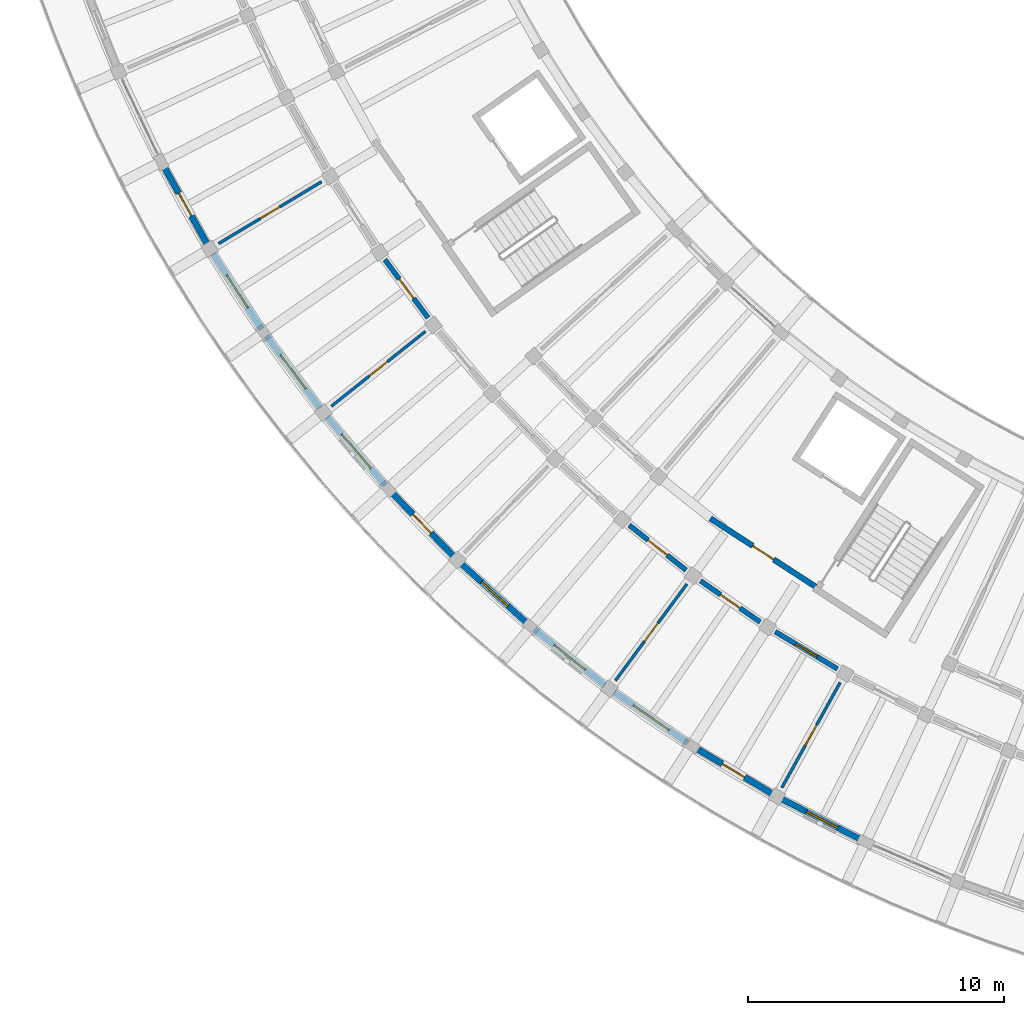
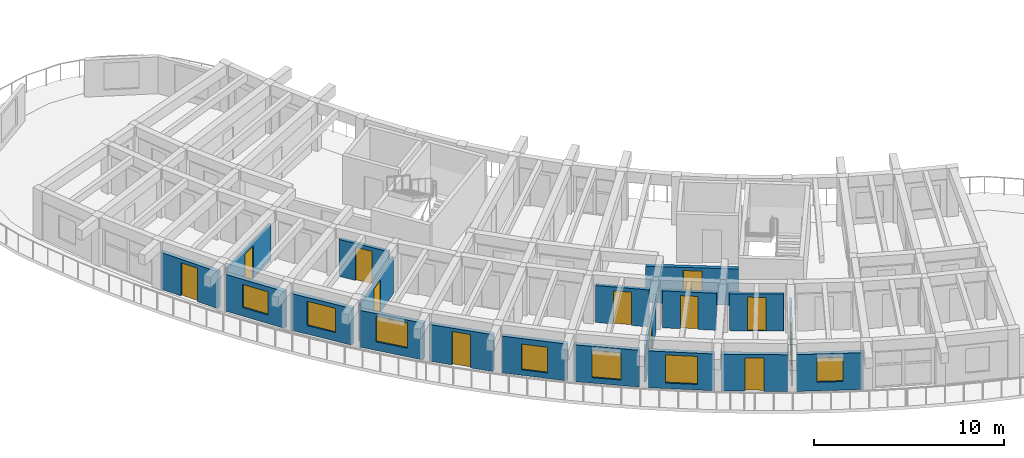
# One storey, part 41 of 83: 19 walls, 12 doors, 7 windows, 19 openings.
"""IFC4 building model written with IfcOpenShell, lengths in metres."""

from ifc_helpers import new_model, si_unit, direction, frame, frame_2d, origin, place, context, subcontext, project, spatial, rectangle, extrude, material, layer, layer_set, type_object, element, fill, save


model = new_model("IFC4")

# Units and contexts
model_context = context("Model", 3, precision=1e-05, world=origin(), true_north=direction((0.0, 1.0)))
body_context = subcontext(model_context, "Body", "Model", "MODEL_VIEW")
ifc_project = project(units=[si_unit("LENGTHUNIT", "METRE"), si_unit("AREAUNIT", "SQUARE_METRE"), si_unit("VOLUMEUNIT", "CUBIC_METRE"), si_unit("PLANEANGLEUNIT", "RADIAN"), si_unit("MASSUNIT", "GRAM", prefix="KILO")], contexts=[model_context])

# Site, building, storey
site_placement = place(None, origin())
site = spatial("IfcSite", under=ifc_project, at=site_placement, CompositionType="ELEMENT")
building_placement = place(site_placement, origin())
building = spatial("IfcBuilding", under=site, at=building_placement, Name="Tanwirah Colonnade Gardens", CompositionType="ELEMENT")
storey_placement = place(building_placement, frame((0.0, 0.0, 25.639892578125)))
storey = spatial("IfcBuildingStorey", under=building, at=storey_placement, Name="L07", CompositionType="ELEMENT", Elevation=25.639892578125)

# Wall, opening, door
ifc_material_1 = material(Name="Limestone architectural precast concrete C40/50", Category="masonry")
ifc_layer_1 = layer(ifc_material_1, 0.2451171875)
ifc_layer_set_1 = layer_set([ifc_layer_1], Name="Limestone architectural precast concrete C40/50")
wall_type_1 = type_object("IfcWallType", Name="EW-PC245", PredefinedType="SOLIDWALL", material=ifc_layer_set_1)
wall_1_placement = place(storey_placement, frame((12.136962890625, 37.09375, 0.0), z_axis=(0.0, 0.0, 1.0), x_axis=(0.486728685122, -0.87355319648, 0.0)))
wall_1 = element("IfcWall", 1, at=wall_1_placement, inside=storey, type_object=wall_type_1, Name="Block C L07 OUT Precast Facade Wall 3", PredefinedType="SOLIDWALL", context=body_context, shape_type="SweptSolid", body=[
    extrude(rectangle(XDim=3.51171875, YDim=0.2451171875, at=frame_2d((1.755859375, 0.0))), origin(), (0.0, 0.0, 1.0), 2.355224609375),
])
opening_1_placement = place(wall_1_placement, frame((1.245849609375, 0.0, 0.0)))
opening_1 = element("IfcOpeningElement", 2, at=opening_1_placement, cuts=wall_1, Name="Opening L07-ED159", PredefinedType="OPENING", context=body_context, shape_type="SweptSolid", body=[
    extrude(rectangle(XDim=1.02001953125, YDim=2.139892578125, at=frame_2d((0.510009765625, 1.06982421875))), frame((0.0, 0.132568359375, 0.0), z_axis=(0.0, -1.0, 0.0), x_axis=(1.0, 0.0, 0.0)), (0.0, 0.0, 1.0), 0.26513671875),
])
ifc_material_2 = material(Name="Bronze aluminium glazed balcony door", Category="aluminium")
door_type_1 = type_object("IfcDoorType", Name="ED-BAL102", OperationType="NOTDEFINED", PredefinedType="DOOR", material=ifc_material_2)
door_1_placement = place(opening_1_placement, origin())
door_1 = element("IfcDoor", 3, at=door_1_placement, inside=storey, type_object=door_type_1, Name="Balcony glazed door L07-ED159", OperationType="SINGLE_SWING_LEFT", OverallHeight=2.139892578125, OverallWidth=1.02001953125, PredefinedType="DOOR", context=body_context, shape_type="SweptSolid", body=[
    extrude(rectangle(XDim=1.02001953125, YDim=2.139892578125, at=frame_2d((0.510009765625, 1.06982421875))), frame((0.0, 0.02490234375, 0.0), z_axis=(0.0, -1.0, 0.0), x_axis=(1.0, 0.0, 0.0)), (0.0, 0.0, 1.0), 0.050048828125),
])
fill(opening_1, door_1)

# Wall, opening, window
wall_2_placement = place(storey_placement, frame((14.077880859375, 33.640625, 0.0), z_axis=(0.0, 0.0, 1.0), x_axis=(0.542804414439, -0.839859135609, 0.0)))
wall_2 = element("IfcWall", 4, at=wall_2_placement, inside=storey, type_object=wall_type_1, Name="Block C L07 OUT Precast Facade Wall 4", PredefinedType="SOLIDWALL", context=body_context, shape_type="SweptSolid", body=[
    extrude(rectangle(XDim=3.511962890625, YDim=0.2451171875, at=frame_2d((1.755859375, 0.0))), origin(), (0.0, 0.0, 1.0), 2.355224609375),
])
opening_2_placement = place(wall_2_placement, frame((0.995849609375, 0.0, 0.550048828125)))
opening_2 = element("IfcOpeningElement", 5, at=opening_2_placement, cuts=wall_2, Name="Opening WIN-U10", PredefinedType="OPENING", context=body_context, shape_type="SweptSolid", body=[
    extrude(rectangle(XDim=1.52001953125, YDim=1.485107421875, at=frame_2d((0.760009765625, 0.74267578125))), frame((0.0, 0.132568359375, 0.0), z_axis=(0.0, -1.0, 0.0), x_axis=(1.0, 0.0, 0.0)), (0.0, 0.0, 1.0), 0.26513671875),
])
ifc_material_3 = material(Name="Thermally broken bronze aluminium and solar low-E double glazing", Category="aluminium")
window_type_1 = type_object("IfcWindowType", Name="WIN-U10", PartitioningType="DOUBLE_PANEL_VERTICAL", PredefinedType="WINDOW", material=ifc_material_3)
window_1_placement = place(opening_2_placement, origin())
window_1 = element("IfcWindow", 6, at=window_1_placement, inside=storey, type_object=window_type_1, Name="Facade window C-L07-OUT-04", OverallHeight=1.485107421875, OverallWidth=1.52001953125, PartitioningType="SINGLE_PANEL", PredefinedType="WINDOW", context=body_context, shape_type="SweptSolid", body=[
    extrude(rectangle(XDim=1.52001953125, YDim=1.485107421875, at=frame_2d((0.760009765625, 0.74267578125))), frame((0.0, 0.030029296875, 0.0), z_axis=(0.0, -1.0, 0.0), x_axis=(1.0, 0.0, 0.0)), (0.0, 0.0, 1.0), 0.06005859375),
])
fill(opening_2, window_1)

wall_3_placement = place(storey_placement, frame((16.166259765625, 30.42822265625, 0.0), z_axis=(0.0, 0.0, 1.0), x_axis=(0.596613229517, -0.802528911856, 0.0)))
wall_3 = element("IfcWall", 7, at=wall_3_placement, inside=storey, type_object=wall_type_1, Name="Block C L07 OUT Precast Facade Wall 5", PredefinedType="SOLIDWALL", context=body_context, shape_type="SweptSolid", body=[
    extrude(rectangle(XDim=3.511962890625, YDim=0.2451171875, at=frame_2d((1.755859375, 0.0))), origin(), (0.0, 0.0, 1.0), 2.355224609375),
])
opening_3_placement = place(wall_3_placement, frame((0.935791015625, 0.0, 0.550048828125)))
opening_3 = element("IfcOpeningElement", 8, at=opening_3_placement, cuts=wall_3, Name="Opening WIN-U13", PredefinedType="OPENING", context=body_context, shape_type="SweptSolid", body=[
    extrude(rectangle(XDim=1.639892578125, YDim=1.56005859375, at=frame_2d((0.81982421875, 0.780029296875))), frame((0.0, 0.132568359375, 0.0), z_axis=(0.0, -1.0, 0.0), x_axis=(1.0, 0.0, 0.0)), (0.0, 0.0, 1.0), 0.26513671875),
])
window_type_2 = type_object("IfcWindowType", Name="WIN-U13", PartitioningType="DOUBLE_PANEL_VERTICAL", PredefinedType="WINDOW", material=ifc_material_3)
window_2_placement = place(opening_3_placement, origin())
window_2 = element("IfcWindow", 9, at=window_2_placement, inside=storey, type_object=window_type_2, Name="Facade window C-L07-OUT-05", OverallHeight=1.56005859375, OverallWidth=1.639892578125, PartitioningType="SINGLE_PANEL", PredefinedType="WINDOW", context=body_context, shape_type="SweptSolid", body=[
    extrude(rectangle(XDim=1.639892578125, YDim=1.56005859375, at=frame_2d((0.81982421875, 0.780029296875))), frame((0.0, 0.030029296875, 0.0), z_axis=(0.0, -1.0, 0.0), x_axis=(1.0, 0.0, 0.0)), (0.0, 0.0, 1.0), 0.06005859375),
])
fill(opening_3, window_2)

wall_4_placement = place(storey_placement, frame((18.54150390625, 27.2578125, 0.0), z_axis=(0.0, 0.0, 1.0), x_axis=(0.647797741835, -0.761812369074, 0.0)))
wall_4 = element("IfcWall", 10, at=wall_4_placement, inside=storey, type_object=wall_type_1, Name="Block C L07 OUT Precast Facade Wall 6", PredefinedType="SOLIDWALL", context=body_context, shape_type="SweptSolid", body=[
    extrude(rectangle(XDim=3.51171875, YDim=0.2451171875, at=frame_2d((1.755859375, 0.0))), origin(), (0.0, 0.0, 1.0), 2.355224609375),
])
opening_4_placement = place(wall_4_placement, frame((0.8759765625, 0.0, 0.550048828125)))
opening_4 = element("IfcOpeningElement", 11, at=opening_4_placement, cuts=wall_4, Name="Opening WIN-U16", PredefinedType="OPENING", context=body_context, shape_type="SweptSolid", body=[
    extrude(rectangle(XDim=1.760009765625, YDim=1.635009765625, at=frame_2d((0.8798828125, 0.8173828125))), frame((0.0, 0.132568359375, 0.0), z_axis=(0.0, -1.0, 0.0), x_axis=(1.0, 0.0, 0.0)), (0.0, 0.0, 1.0), 0.26513671875),
])
window_type_3 = type_object("IfcWindowType", Name="WIN-U16", PartitioningType="DOUBLE_PANEL_VERTICAL", PredefinedType="WINDOW", material=ifc_material_3)
window_3_placement = place(opening_4_placement, origin())
window_3 = element("IfcWindow", 12, at=window_3_placement, inside=storey, type_object=window_type_3, Name="Facade window C-L07-OUT-06", OverallHeight=1.635009765625, OverallWidth=1.760009765625, PartitioningType="SINGLE_PANEL", PredefinedType="WINDOW", context=body_context, shape_type="SweptSolid", body=[
    extrude(rectangle(XDim=1.760009765625, YDim=1.635009765625, at=frame_2d((0.8798828125, 0.8173828125))), frame((0.0, 0.030029296875, 0.0), z_axis=(0.0, -1.0, 0.0), x_axis=(1.0, 0.0, 0.0)), (0.0, 0.0, 1.0), 0.06005859375),
])
fill(opening_4, window_3)

# Wall, opening, door
wall_5_placement = place(storey_placement, frame((21.031494140625, 24.345703125, 0.0), z_axis=(0.0, 0.0, 1.0), x_axis=(0.696213152496, -0.717835110797, 0.0)))
wall_5 = element("IfcWall", 13, at=wall_5_placement, inside=storey, type_object=wall_type_1, Name="Block C L07 OUT Precast Facade Wall 7", PredefinedType="SOLIDWALL", context=body_context, shape_type="SweptSolid", body=[
    extrude(rectangle(XDim=3.51171875, YDim=0.2451171875, at=frame_2d((1.755859375, 0.0))), origin(), (0.0, 0.0, 1.0), 2.355224609375),
])
opening_5_placement = place(wall_5_placement, frame((1.245849609375, 0.0, 0.0)))
opening_5 = element("IfcOpeningElement", 14, at=opening_5_placement, cuts=wall_5, Name="Opening L07-ED160", PredefinedType="OPENING", context=body_context, shape_type="SweptSolid", body=[
    extrude(rectangle(XDim=1.02001953125, YDim=2.139892578125, at=frame_2d((0.510009765625, 1.06982421875))), frame((0.0, 0.132568359375, 0.0), z_axis=(0.0, -1.0, 0.0), x_axis=(1.0, 0.0, 0.0)), (0.0, 0.0, 1.0), 0.26513671875),
])
door_2_placement = place(opening_5_placement, origin())
door_2 = element("IfcDoor", 15, at=door_2_placement, inside=storey, type_object=door_type_1, Name="Balcony glazed door L07-ED160", OperationType="SINGLE_SWING_LEFT", OverallHeight=2.139892578125, OverallWidth=1.02001953125, PredefinedType="DOOR", context=body_context, shape_type="SweptSolid", body=[
    extrude(rectangle(XDim=1.02001953125, YDim=2.139892578125, at=frame_2d((0.510009765625, 1.06982421875))), frame((0.0, 0.02490234375, 0.0), z_axis=(0.0, -1.0, 0.0), x_axis=(1.0, 0.0, 0.0)), (0.0, 0.0, 1.0), 0.050048828125),
])
fill(opening_5, door_2)

# Wall, opening, window
wall_6_placement = place(storey_placement, frame((23.800048828125, 21.512451171875, 0.0), z_axis=(0.0, 0.0, 1.0), x_axis=(0.74163953018, -0.670798633924, 0.0)))
wall_6 = element("IfcWall", 16, at=wall_6_placement, inside=storey, type_object=wall_type_1, Name="Block C L07 OUT Precast Facade Wall 8", PredefinedType="SOLIDWALL", context=body_context, shape_type="SweptSolid", body=[
    extrude(rectangle(XDim=3.51171875, YDim=0.2451171875, at=frame_2d((1.755859375, 0.0))), origin(), (0.0, 0.0, 1.0), 2.355224609375),
])
opening_6_placement = place(wall_6_placement, frame((1.055908203125, 0.0, 0.35009765625)))
opening_6 = element("IfcOpeningElement", 17, at=opening_6_placement, cuts=wall_6, Name="Opening WIN-T06", PredefinedType="OPENING", context=body_context, shape_type="SweptSolid", body=[
    extrude(rectangle(XDim=1.39990234375, YDim=1.64990234375, at=frame_2d((0.699951171875, 0.824951171875))), frame((0.0, 0.132568359375, 0.0), z_axis=(0.0, -1.0, 0.0), x_axis=(1.0, 0.0, 0.0)), (0.0, 0.0, 1.0), 0.26513671875),
])
window_type_4 = type_object("IfcWindowType", Name="WIN-T06", PartitioningType="DOUBLE_PANEL_VERTICAL", PredefinedType="WINDOW", material=ifc_material_3)
window_4_placement = place(opening_6_placement, origin())
window_4 = element("IfcWindow", 18, at=window_4_placement, inside=storey, type_object=window_type_4, Name="Facade window C-L07-OUT-08", OverallHeight=1.64990234375, OverallWidth=1.39990234375, PartitioningType="SINGLE_PANEL", PredefinedType="WINDOW", context=body_context, shape_type="SweptSolid", body=[
    extrude(rectangle(XDim=1.39990234375, YDim=1.64990234375, at=frame_2d((0.699951171875, 0.824951171875))), frame((0.0, 0.030029296875, 0.0), z_axis=(0.0, -1.0, 0.0), x_axis=(1.0, 0.0, 0.0)), (0.0, 0.0, 1.0), 0.06005859375),
])
fill(opening_6, window_4)

wall_7_placement = place(storey_placement, frame((26.648681640625, 18.9501953125, 0.0), z_axis=(0.0, 0.0, 1.0), x_axis=(0.78396546672, -0.620804435383, 0.0)))
wall_7 = element("IfcWall", 19, at=wall_7_placement, inside=storey, type_object=wall_type_1, Name="Block C L07 OUT Precast Facade Wall 9", PredefinedType="SOLIDWALL", context=body_context, shape_type="SweptSolid", body=[
    extrude(rectangle(XDim=3.511962890625, YDim=0.2451171875, at=frame_2d((1.755859375, 0.0))), origin(), (0.0, 0.0, 1.0), 2.355224609375),
])
opening_7_placement = place(wall_7_placement, frame((0.98095703125, 0.0, 0.35009765625)))
opening_7 = element("IfcOpeningElement", 20, at=opening_7_placement, cuts=wall_7, Name="Opening WIN-T09", PredefinedType="OPENING", context=body_context, shape_type="SweptSolid", body=[
    extrude(rectangle(XDim=1.550048828125, YDim=1.75, at=frame_2d((0.77490234375, 0.875))), frame((0.0, 0.132568359375, 0.0), z_axis=(0.0, -1.0, 0.0), x_axis=(1.0, 0.0, 0.0)), (0.0, 0.0, 1.0), 0.26513671875),
])
window_type_5 = type_object("IfcWindowType", Name="WIN-T09", PartitioningType="DOUBLE_PANEL_VERTICAL", PredefinedType="WINDOW", material=ifc_material_3)
window_5_placement = place(opening_7_placement, origin())
window_5 = element("IfcWindow", 21, at=window_5_placement, inside=storey, type_object=window_type_5, Name="Facade window C-L07-OUT-09", OverallHeight=1.75, OverallWidth=1.550048828125, PartitioningType="SINGLE_PANEL", PredefinedType="WINDOW", context=body_context, shape_type="SweptSolid", body=[
    extrude(rectangle(XDim=1.550048828125, YDim=1.75, at=frame_2d((0.77490234375, 0.875))), frame((0.0, 0.030029296875, 0.0), z_axis=(0.0, -1.0, 0.0), x_axis=(1.0, 0.0, 0.0)), (0.0, 0.0, 1.0), 0.06005859375),
])
fill(opening_7, window_5)

wall_8_placement = place(storey_placement, frame((29.763427734375, 16.50244140625, 0.0), z_axis=(0.0, 0.0, 1.0), x_axis=(0.822902318015, -0.568182871094, 0.0)))
wall_8 = element("IfcWall", 22, at=wall_8_placement, inside=storey, type_object=wall_type_1, Name="Block C L07 OUT Precast Facade Wall 10", PredefinedType="SOLIDWALL", context=body_context, shape_type="SweptSolid", body=[
    extrude(rectangle(XDim=3.51171875, YDim=0.2451171875, at=frame_2d((1.755859375, 0.0))), origin(), (0.0, 0.0, 1.0), 2.355224609375),
])
opening_8_placement = place(wall_8_placement, frame((0.906005859375, 0.0, 0.35009765625)))
opening_8 = element("IfcOpeningElement", 23, at=opening_8_placement, cuts=wall_8, Name="Opening WIN-T12", PredefinedType="OPENING", context=body_context, shape_type="SweptSolid", body=[
    extrude(rectangle(XDim=1.699951171875, YDim=1.800048828125, at=frame_2d((0.85009765625, 0.89990234375))), frame((0.0, 0.132568359375, 0.0), z_axis=(0.0, -1.0, 0.0), x_axis=(1.0, 0.0, 0.0)), (0.0, 0.0, 1.0), 0.26513671875),
])
window_type_6 = type_object("IfcWindowType", Name="WIN-T12", PartitioningType="TRIPLE_PANEL_VERTICAL", PredefinedType="WINDOW", material=ifc_material_3)
window_6_placement = place(opening_8_placement, origin())
window_6 = element("IfcWindow", 24, at=window_6_placement, inside=storey, type_object=window_type_6, Name="Facade window C-L07-OUT-10", OverallHeight=1.800048828125, OverallWidth=1.699951171875, PartitioningType="SINGLE_PANEL", PredefinedType="WINDOW", context=body_context, shape_type="SweptSolid", body=[
    extrude(rectangle(XDim=1.699951171875, YDim=1.800048828125, at=frame_2d((0.85009765625, 0.89990234375))), frame((0.0, 0.030029296875, 0.0), z_axis=(0.0, -1.0, 0.0), x_axis=(1.0, 0.0, 0.0)), (0.0, 0.0, 1.0), 0.06005859375),
])
fill(opening_8, window_6)

# Wall, opening, door
wall_9_placement = place(storey_placement, frame((32.92236328125, 14.333984375, 0.0), z_axis=(0.0, 0.0, 1.0), x_axis=(0.858277078874, -0.513186570245, 0.0)))
wall_9 = element("IfcWall", 25, at=wall_9_placement, inside=storey, type_object=wall_type_1, Name="Block C L07 OUT Precast Facade Wall 11", PredefinedType="SOLIDWALL", context=body_context, shape_type="SweptSolid", body=[
    extrude(rectangle(XDim=3.511962890625, YDim=0.2451171875, at=frame_2d((1.755859375, 0.0))), origin(), (0.0, 0.0, 1.0), 2.355224609375),
])
opening_9_placement = place(wall_9_placement, frame((1.245849609375, 0.0, 0.0)))
opening_9 = element("IfcOpeningElement", 26, at=opening_9_placement, cuts=wall_9, Name="Opening L07-ED162", PredefinedType="OPENING", context=body_context, shape_type="SweptSolid", body=[
    extrude(rectangle(XDim=1.02001953125, YDim=2.139892578125, at=frame_2d((0.510009765625, 1.06982421875))), frame((0.0, 0.132568359375, 0.0), z_axis=(0.0, -1.0, 0.0), x_axis=(1.0, 0.0, 0.0)), (0.0, 0.0, 1.0), 0.26513671875),
])
door_3_placement = place(opening_9_placement, origin())
door_3 = element("IfcDoor", 27, at=door_3_placement, inside=storey, type_object=door_type_1, Name="Balcony glazed door L07-ED162", OperationType="SINGLE_SWING_LEFT", OverallHeight=2.139892578125, OverallWidth=1.02001953125, PredefinedType="DOOR", context=body_context, shape_type="SweptSolid", body=[
    extrude(rectangle(XDim=1.02001953125, YDim=2.139892578125, at=frame_2d((0.510009765625, 1.06982421875))), frame((0.0, 0.02490234375, 0.0), z_axis=(0.0, -1.0, 0.0), x_axis=(1.0, 0.0, 0.0)), (0.0, 0.0, 1.0), 0.050048828125),
])
fill(opening_9, door_3)

# Wall, opening, window
wall_10_placement = place(storey_placement, frame((36.329833984375, 12.313720703125, 0.0), z_axis=(0.0, 0.0, 1.0), x_axis=(0.890018595161, -0.455924226454, 0.0)))
wall_10 = element("IfcWall", 28, at=wall_10_placement, inside=storey, type_object=wall_type_1, Name="Block C L07 OUT Precast Facade Wall 12", PredefinedType="SOLIDWALL", context=body_context, shape_type="SweptSolid", body=[
    extrude(rectangle(XDim=3.51171875, YDim=0.2451171875, at=frame_2d((1.755859375, 0.0))), origin(), (0.0, 0.0, 1.0), 2.355224609375),
])
opening_10_placement = place(wall_10_placement, frame((1.06591796875, 0.0, 0.550048828125)))
opening_10 = element("IfcOpeningElement", 29, at=opening_10_placement, cuts=wall_10, Name="Opening WIN-T18", PredefinedType="OPENING", context=body_context, shape_type="SweptSolid", body=[
    extrude(rectangle(XDim=1.3798828125, YDim=1.56005859375, at=frame_2d((0.68994140625, 0.780029296875))), frame((0.0, 0.132568359375, 0.0), z_axis=(0.0, -1.0, 0.0), x_axis=(1.0, 0.0, 0.0)), (0.0, 0.0, 1.0), 0.26513671875),
])
window_type_7 = type_object("IfcWindowType", Name="WIN-T18", PartitioningType="DOUBLE_PANEL_VERTICAL", PredefinedType="WINDOW", material=ifc_material_3)
window_7_placement = place(opening_10_placement, origin())
window_7 = element("IfcWindow", 30, at=window_7_placement, inside=storey, type_object=window_type_7, Name="Facade window C-L07-OUT-12", OverallHeight=1.56005859375, OverallWidth=1.3798828125, PartitioningType="SINGLE_PANEL", PredefinedType="WINDOW", context=body_context, shape_type="SweptSolid", body=[
    extrude(rectangle(XDim=1.3798828125, YDim=1.56005859375, at=frame_2d((0.68994140625, 0.780029296875))), frame((0.0, 0.030029296875, 0.0), z_axis=(0.0, -1.0, 0.0), x_axis=(1.0, 0.0, 0.0)), (0.0, 0.0, 1.0), 0.06005859375),
])
fill(opening_10, window_7)

# Wall, opening, door
ifc_material_4 = material(Name="Precast concrete C40/50", Category="concrete")
ifc_layer_2 = layer(ifc_material_4, 0.195068359375)
ifc_layer_set_2 = layer_set([ifc_layer_2], Name="Precast concrete C40/50")
wall_type_2 = type_object("IfcWallType", Name="IW-CORR195", PredefinedType="PARTITIONING", material=ifc_layer_set_2)
wall_11_placement = place(storey_placement, frame((20.798828125, 33.410888671875, 0.0), z_axis=(0.0, 0.0, 1.0), x_axis=(0.596552136601, -0.802574325727, 0.0)))
wall_11 = element("IfcWall", 31, at=wall_11_placement, inside=storey, type_object=wall_type_2, Name="Block C L07 OUT Corridor Wall 5", PredefinedType="PARTITIONING", context=body_context, shape_type="SweptSolid", body=[
    extrude(rectangle(XDim=2.8369140625, YDim=0.195068359375, at=frame_2d((1.41845703125, 0.0))), origin(), (0.0, 0.0, 1.0), 2.3701171875),
])
opening_11_placement = place(wall_11_placement, frame((0.943603515625, 0.0, 0.0)))
opening_11 = element("IfcOpeningElement", 32, at=opening_11_placement, cuts=wall_11, Name="Opening L07-AD1549", PredefinedType="OPENING", context=body_context, shape_type="SweptSolid", body=[
    extrude(rectangle(XDim=0.949951171875, YDim=2.1298828125, at=frame_2d((0.47509765625, 1.06494140625))), frame((0.0, 0.107421875, 0.0), z_axis=(0.0, -1.0, 0.0), x_axis=(1.0, 0.0, 0.0)), (0.0, 0.0, 1.0), 0.215087890625),
])
ifc_material_5 = material(Name="Solid oak fire-resisting apartment entrance door")
door_type_2 = type_object("IfcDoorType", Name="ID-FLT095", OperationType="NOTDEFINED", PredefinedType="DOOR", material=ifc_material_5)
door_4_placement = place(opening_11_placement, origin())
door_4 = element("IfcDoor", 33, at=door_4_placement, inside=storey, type_object=door_type_2, Name="Apartment corridor door L07-AD1549", OperationType="SINGLE_SWING_LEFT", OverallHeight=2.1298828125, OverallWidth=0.949951171875, PredefinedType="DOOR", context=body_context, shape_type="SweptSolid", body=[
    extrude(rectangle(XDim=0.949951171875, YDim=2.1298828125, at=frame_2d((0.47509765625, 1.06494140625))), frame((0.0, 0.02490234375, 0.0), z_axis=(0.0, -1.0, 0.0), x_axis=(1.0, 0.0, 0.0)), (0.0, 0.0, 1.0), 0.050048828125),
])
fill(opening_11, door_4)

wall_12_placement = place(storey_placement, frame((30.351318359375, 23.030029296875, 0.0), z_axis=(0.0, 0.0, 1.0), x_axis=(0.783965548427, -0.620804332201, 0.0)))
wall_12 = element("IfcWall", 34, at=wall_12_placement, inside=storey, type_object=wall_type_2, Name="Block C L07 OUT Corridor Wall 9", PredefinedType="PARTITIONING", context=body_context, shape_type="SweptSolid", body=[
    extrude(rectangle(XDim=2.8369140625, YDim=0.195068359375, at=frame_2d((1.41845703125, 0.0))), origin(), (0.0, 0.0, 1.0), 2.3701171875),
])
opening_12_placement = place(wall_12_placement, frame((0.943603515625, 0.0, 0.0)))
opening_12 = element("IfcOpeningElement", 35, at=opening_12_placement, cuts=wall_12, Name="Opening L07-AD1560", PredefinedType="OPENING", context=body_context, shape_type="SweptSolid", body=[
    extrude(rectangle(XDim=0.949951171875, YDim=2.1298828125, at=frame_2d((0.47509765625, 1.06494140625))), frame((0.0, 0.107421875, 0.0), z_axis=(0.0, -1.0, 0.0), x_axis=(1.0, 0.0, 0.0)), (0.0, 0.0, 1.0), 0.215087890625),
])
door_5_placement = place(opening_12_placement, origin())
door_5 = element("IfcDoor", 36, at=door_5_placement, inside=storey, type_object=door_type_2, Name="Apartment corridor door L07-AD1560", OperationType="SINGLE_SWING_LEFT", OverallHeight=2.1298828125, OverallWidth=0.949951171875, PredefinedType="DOOR", context=body_context, shape_type="SweptSolid", body=[
    extrude(rectangle(XDim=0.949951171875, YDim=2.1298828125, at=frame_2d((0.47509765625, 1.06494140625))), frame((0.0, 0.02490234375, 0.0), z_axis=(0.0, -1.0, 0.0), x_axis=(1.0, 0.0, 0.0)), (0.0, 0.0, 1.0), 0.050048828125),
])
fill(opening_12, door_5)

wall_13_placement = place(storey_placement, frame((33.137939453125, 20.852783203125, 0.0), z_axis=(0.0, 0.0, 1.0), x_axis=(0.822870075235, -0.568229565653, 0.0)))
wall_13 = element("IfcWall", 37, at=wall_13_placement, inside=storey, type_object=wall_type_2, Name="Block C L07 OUT Corridor Wall 10", PredefinedType="PARTITIONING", context=body_context, shape_type="SweptSolid", body=[
    extrude(rectangle(XDim=2.8369140625, YDim=0.195068359375, at=frame_2d((1.41845703125, 0.0))), origin(), (0.0, 0.0, 1.0), 2.3701171875),
])
opening_13_placement = place(wall_13_placement, frame((0.95361328125, 0.0, 0.0)))
opening_13 = element("IfcOpeningElement", 38, at=opening_13_placement, cuts=wall_13, Name="Opening L07-AD1562", PredefinedType="OPENING", context=body_context, shape_type="SweptSolid", body=[
    extrude(rectangle(XDim=0.929931640625, YDim=2.1201171875, at=frame_2d((0.46484375, 1.06005859375))), frame((0.0, 0.107421875, 0.0), z_axis=(0.0, -1.0, 0.0), x_axis=(1.0, 0.0, 0.0)), (0.0, 0.0, 1.0), 0.215087890625),
])
door_type_3 = type_object("IfcDoorType", Name="ID-FLT093", OperationType="NOTDEFINED", PredefinedType="DOOR", material=ifc_material_5)
door_6_placement = place(opening_13_placement, origin())
door_6 = element("IfcDoor", 39, at=door_6_placement, inside=storey, type_object=door_type_3, Name="Apartment corridor door L07-AD1562", OperationType="SINGLE_SWING_RIGHT", OverallHeight=2.1201171875, OverallWidth=0.929931640625, PredefinedType="DOOR", context=body_context, shape_type="SweptSolid", body=[
    extrude(rectangle(XDim=0.929931640625, YDim=2.1201171875, at=frame_2d((0.46484375, 1.06005859375))), frame((0.0, 0.02490234375, 0.0), z_axis=(0.0, -1.0, 0.0), x_axis=(1.0, 0.0, 0.0)), (0.0, 0.0, 1.0), 0.050048828125),
])
fill(opening_13, door_6)

wall_14_placement = place(storey_placement, frame((36.060791015625, 18.8623046875, 0.0), z_axis=(0.0, 0.0, 1.0), x_axis=(0.858281647443, -0.51317892948, 0.0)))
wall_14 = element("IfcWall", 40, at=wall_14_placement, inside=storey, type_object=wall_type_2, Name="Block C L07 OUT Corridor Wall 11", PredefinedType="PARTITIONING", context=body_context, shape_type="SweptSolid", body=[
    extrude(rectangle(XDim=2.8369140625, YDim=0.195068359375, at=frame_2d((1.41845703125, 0.0))), origin(), (0.0, 0.0, 1.0), 2.3701171875),
])
opening_14_placement = place(wall_14_placement, frame((0.923583984375, 0.0, 0.0)))
opening_14 = element("IfcOpeningElement", 41, at=opening_14_placement, cuts=wall_14, Name="Opening L07-AD1563", PredefinedType="OPENING", context=body_context, shape_type="SweptSolid", body=[
    extrude(rectangle(XDim=0.989990234375, YDim=2.159912109375, at=frame_2d((0.4951171875, 1.080078125))), frame((0.0, 0.107421875, 0.0), z_axis=(0.0, -1.0, 0.0), x_axis=(1.0, 0.0, 0.0)), (0.0, 0.0, 1.0), 0.215087890625),
])
door_type_4 = type_object("IfcDoorType", Name="ID-FLT099", OperationType="NOTDEFINED", PredefinedType="DOOR", material=ifc_material_5)
door_7_placement = place(opening_14_placement, origin())
door_7 = element("IfcDoor", 42, at=door_7_placement, inside=storey, type_object=door_type_4, Name="Apartment corridor door L07-AD1563", OperationType="SINGLE_SWING_LEFT", OverallHeight=2.159912109375, OverallWidth=0.989990234375, PredefinedType="DOOR", context=body_context, shape_type="SweptSolid", body=[
    extrude(rectangle(XDim=0.989990234375, YDim=2.159912109375, at=frame_2d((0.4951171875, 1.080078125))), frame((0.0, 0.02490234375, 0.0), z_axis=(0.0, -1.0, 0.0), x_axis=(1.0, 0.0, 0.0)), (0.0, 0.0, 1.0), 0.050048828125),
])
fill(opening_14, door_7)

ifc_material_6 = material(Name="Autoclaved aerated masonry blockwork", Category="masonry")
ifc_layer_3 = layer(ifc_material_6, 0.219970703125)
ifc_layer_set_3 = layer_set([ifc_layer_3], Name="Autoclaved aerated masonry blockwork")
wall_type_3 = type_object("IfcWallType", Name="IW-FFL220", PredefinedType="PARTITIONING", material=ifc_layer_set_3)
wall_15_placement = place(storey_placement, frame((37.638916015625, 20.623291015625, 0.0), z_axis=(0.0, 0.0, 1.0), x_axis=(-0.838681446513, 0.544622283124, 0.0)))
wall_15 = element("IfcWall", 43, at=wall_15_placement, inside=storey, type_object=wall_type_3, Name="CORE-C2 L07 Enclosed Lobby Fire Wall", PredefinedType="PARTITIONING", context=body_context, shape_type="SweptSolid", body=[
    extrude(rectangle(XDim=4.900146484375, YDim=0.219970703125, at=frame_2d((2.4501953125, 0.0))), origin(), (0.0, 0.0, 1.0), 2.340087890625),
])
opening_15_placement = place(wall_15_placement, frame((1.949951171875, 0.0, 0.0)))
opening_15 = element("IfcOpeningElement", 44, at=opening_15_placement, cuts=wall_15, Name="Opening L07-LD165", PredefinedType="OPENING", context=body_context, shape_type="SweptSolid", body=[
    extrude(rectangle(XDim=0.97998046875, YDim=2.139892578125, at=frame_2d((0.489990234375, 1.06982421875))), frame((0.0, 0.119873046875, 0.0), z_axis=(0.0, -1.0, 0.0), x_axis=(1.0, 0.0, 0.0)), (0.0, 0.0, 1.0), 0.239990234375),
])
ifc_material_7 = material(Name="Acoustic fire-resisting lobby door")
door_type_5 = type_object("IfcDoorType", Name="ID-FFL098", OperationType="NOTDEFINED", PredefinedType="DOOR", material=ifc_material_7)
door_8_placement = place(opening_15_placement, origin())
door_8 = element("IfcDoor", 45, at=door_8_placement, inside=storey, type_object=door_type_5, Name="CORE-C2 L07 Lobby Fire Door L07-LD165", OperationType="SINGLE_SWING_RIGHT", OverallHeight=2.139892578125, OverallWidth=0.97998046875, PredefinedType="DOOR", context=body_context, shape_type="SweptSolid", body=[
    extrude(rectangle(XDim=0.97998046875, YDim=2.139892578125, at=frame_2d((0.489990234375, 1.06982421875))), frame((0.0, 0.02490234375, 0.0), z_axis=(0.0, -1.0, 0.0), x_axis=(1.0, 0.0, 0.0)), (0.0, 0.0, 1.0), 0.050048828125),
])
fill(opening_15, door_8)

ifc_material_8 = material(Name="Acoustic gypsum stud partition")
ifc_layer_4 = layer(ifc_material_8, 0.114990234375)
ifc_layer_set_4 = layer_set([ifc_layer_4], Name="Acoustic gypsum stud partition")
wall_type_4 = type_object("IfcWallType", Name="IW-INT115", PredefinedType="PARTITIONING", material=ifc_layer_set_4)
wall_16_placement = place(storey_placement, frame((18.3271484375, 36.456298828125, 0.0), z_axis=(0.0, 0.0, 1.0), x_axis=(-0.857139805444, -0.515083831937, 0.0)))
wall_16 = element("IfcWall", 46, at=wall_16_placement, inside=storey, type_object=wall_type_4, Name="Block C L07 Radial Partition 3", PredefinedType="PARTITIONING", context=body_context, shape_type="SweptSolid", body=[
    extrude(rectangle(XDim=4.699951171875, YDim=0.114990234375, at=frame_2d((2.35009765625, 0.0))), origin(), (0.0, 0.0, 1.0), 2.3701171875),
])
opening_16_placement = place(wall_16_placement, frame((1.905029296875, 0.0, 0.0)))
opening_16 = element("IfcOpeningElement", 47, at=opening_16_placement, cuts=wall_16, Name="Opening L07-RD1547", PredefinedType="OPENING", context=body_context, shape_type="SweptSolid", body=[
    extrude(rectangle(XDim=0.889892578125, YDim=2.10009765625, at=frame_2d((0.44482421875, 1.050048828125))), frame((0.0, 0.0673828125, 0.0), z_axis=(0.0, -1.0, 0.0), x_axis=(1.0, 0.0, 0.0)), (0.0, 0.0, 1.0), 0.135009765625),
])
ifc_material_9 = material(Name="Painted hardwood bedroom door", Category="wood")
door_type_6 = type_object("IfcDoorType", Name="ID-RM089", OperationType="NOTDEFINED", PredefinedType="DOOR", material=ifc_material_9)
door_9_placement = place(opening_16_placement, origin())
door_9 = element("IfcDoor", 48, at=door_9_placement, inside=storey, type_object=door_type_6, Name="Internal apartment door L07-RD1547", OperationType="SINGLE_SWING_LEFT", OverallHeight=2.10009765625, OverallWidth=0.889892578125, PredefinedType="DOOR", context=body_context, shape_type="SweptSolid", body=[
    extrude(rectangle(XDim=0.889892578125, YDim=2.10009765625, at=frame_2d((0.44482421875, 1.050048828125))), frame((0.0, 0.02490234375, 0.0), z_axis=(0.0, -1.0, 0.0), x_axis=(1.0, 0.0, 0.0)), (0.0, 0.0, 1.0), 0.050048828125),
])
fill(opening_16, door_9)

wall_17_placement = place(storey_placement, frame((22.386962890625, 30.60400390625, 0.0), z_axis=(0.0, 0.0, 1.0), x_axis=(-0.782609106384, -0.622513442911, 0.0)))
wall_17 = element("IfcWall", 49, at=wall_17_placement, inside=storey, type_object=wall_type_4, Name="Block C L07 Radial Partition 5", PredefinedType="PARTITIONING", context=body_context, shape_type="SweptSolid", body=[
    extrude(rectangle(XDim=4.699951171875, YDim=0.114990234375, at=frame_2d((2.35009765625, 0.0))), origin(), (0.0, 0.0, 1.0), 2.3701171875),
])
opening_17_placement = place(wall_17_placement, frame((1.89501953125, 0.0, 0.0)))
opening_17 = element("IfcOpeningElement", 50, at=opening_17_placement, cuts=wall_17, Name="Opening L07-RD1550", PredefinedType="OPENING", context=body_context, shape_type="SweptSolid", body=[
    extrude(rectangle(XDim=0.909912109375, YDim=2.10009765625, at=frame_2d((0.455078125, 1.050048828125))), frame((0.0, 0.0673828125, 0.0), z_axis=(0.0, -1.0, 0.0), x_axis=(1.0, 0.0, 0.0)), (0.0, 0.0, 1.0), 0.135009765625),
])
ifc_material_10 = material(Name="Painted hardwood internal room door", Category="wood")
door_type_7 = type_object("IfcDoorType", Name="ID-RM091", OperationType="NOTDEFINED", PredefinedType="DOOR", material=ifc_material_10)
door_10_placement = place(opening_17_placement, origin())
door_10 = element("IfcDoor", 51, at=door_10_placement, inside=storey, type_object=door_type_7, Name="Internal apartment door L07-RD1550", OperationType="SINGLE_SWING_LEFT", OverallHeight=2.10009765625, OverallWidth=0.909912109375, PredefinedType="DOOR", context=body_context, shape_type="SweptSolid", body=[
    extrude(rectangle(XDim=0.909912109375, YDim=2.10009765625, at=frame_2d((0.455078125, 1.050048828125))), frame((0.0, 0.02490234375, 0.0), z_axis=(0.0, -1.0, 0.0), x_axis=(1.0, 0.0, 0.0)), (0.0, 0.0, 1.0), 0.050048828125),
])
fill(opening_17, door_10)

wall_18_placement = place(storey_placement, frame((32.61181640625, 20.72998046875, 0.0), z_axis=(0.0, 0.0, 1.0), x_axis=(-0.59482622273, -0.803854318116, 0.0)))
wall_18 = element("IfcWall", 52, at=wall_18_placement, inside=storey, type_object=wall_type_4, Name="Block C L07 Radial Partition 9", PredefinedType="PARTITIONING", context=body_context, shape_type="SweptSolid", body=[
    extrude(rectangle(XDim=4.699951171875, YDim=0.114990234375, at=frame_2d((2.35009765625, 0.0))), origin(), (0.0, 0.0, 1.0), 2.3701171875),
])
opening_18_placement = place(wall_18_placement, frame((1.905029296875, 0.0, 0.0)))
opening_18 = element("IfcOpeningElement", 53, at=opening_18_placement, cuts=wall_18, Name="Opening L07-RD1561", PredefinedType="OPENING", context=body_context, shape_type="SweptSolid", body=[
    extrude(rectangle(XDim=0.889892578125, YDim=2.10009765625, at=frame_2d((0.44482421875, 1.050048828125))), frame((0.0, 0.0673828125, 0.0), z_axis=(0.0, -1.0, 0.0), x_axis=(1.0, 0.0, 0.0)), (0.0, 0.0, 1.0), 0.135009765625),
])
door_11_placement = place(opening_18_placement, origin())
door_11 = element("IfcDoor", 54, at=door_11_placement, inside=storey, type_object=door_type_6, Name="Internal apartment door L07-RD1561", OperationType="SINGLE_SWING_LEFT", OverallHeight=2.10009765625, OverallWidth=0.889892578125, PredefinedType="DOOR", context=body_context, shape_type="SweptSolid", body=[
    extrude(rectangle(XDim=0.889892578125, YDim=2.10009765625, at=frame_2d((0.44482421875, 1.050048828125))), frame((0.0, 0.02490234375, 0.0), z_axis=(0.0, -1.0, 0.0), x_axis=(1.0, 0.0, 0.0)), (0.0, 0.0, 1.0), 0.050048828125),
])
fill(opening_18, door_11)

wall_19_placement = place(storey_placement, frame((38.60205078125, 16.876953125, 0.0), z_axis=(0.0, 0.0, 1.0), x_axis=(-0.484813534336, -0.874617537513, 0.0)))
wall_19 = element("IfcWall", 55, at=wall_19_placement, inside=storey, type_object=wall_type_4, Name="Block C L07 Radial Partition 11", PredefinedType="PARTITIONING", context=body_context, shape_type="SweptSolid", body=[
    extrude(rectangle(XDim=4.699951171875, YDim=0.114990234375, at=frame_2d((2.35009765625, 0.0))), origin(), (0.0, 0.0, 1.0), 2.3701171875),
])
opening_19_placement = place(wall_19_placement, frame((1.89501953125, 0.0, 0.0)))
opening_19 = element("IfcOpeningElement", 56, at=opening_19_placement, cuts=wall_19, Name="Opening L07-RD1564", PredefinedType="OPENING", context=body_context, shape_type="SweptSolid", body=[
    extrude(rectangle(XDim=0.909912109375, YDim=2.10009765625, at=frame_2d((0.455078125, 1.050048828125))), frame((0.0, 0.0673828125, 0.0), z_axis=(0.0, -1.0, 0.0), x_axis=(1.0, 0.0, 0.0)), (0.0, 0.0, 1.0), 0.135009765625),
])
door_12_placement = place(opening_19_placement, origin())
door_12 = element("IfcDoor", 57, at=door_12_placement, inside=storey, type_object=door_type_7, Name="Internal apartment door L07-RD1564", OperationType="SINGLE_SWING_LEFT", OverallHeight=2.10009765625, OverallWidth=0.909912109375, PredefinedType="DOOR", context=body_context, shape_type="SweptSolid", body=[
    extrude(rectangle(XDim=0.909912109375, YDim=2.10009765625, at=frame_2d((0.455078125, 1.050048828125))), frame((0.0, 0.02490234375, 0.0), z_axis=(0.0, -1.0, 0.0), x_axis=(1.0, 0.0, 0.0)), (0.0, 0.0, 1.0), 0.050048828125),
])
fill(opening_19, door_12)

save(model, "model.ifc")
